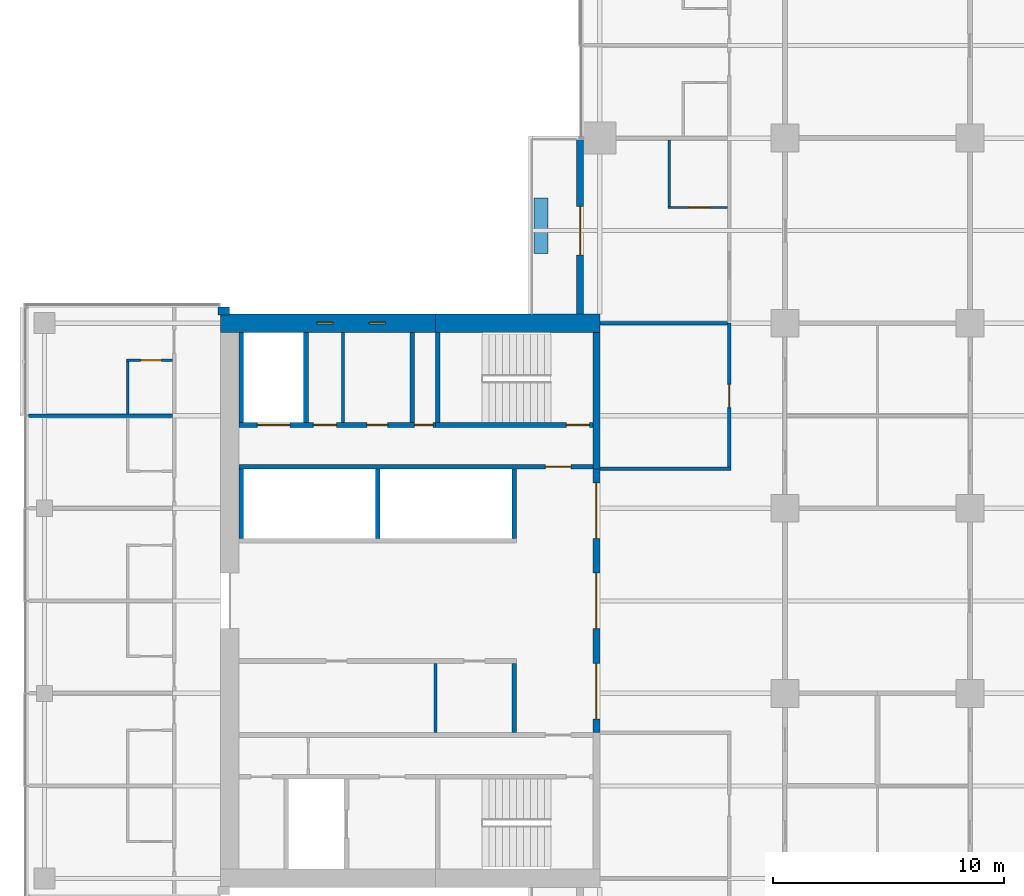
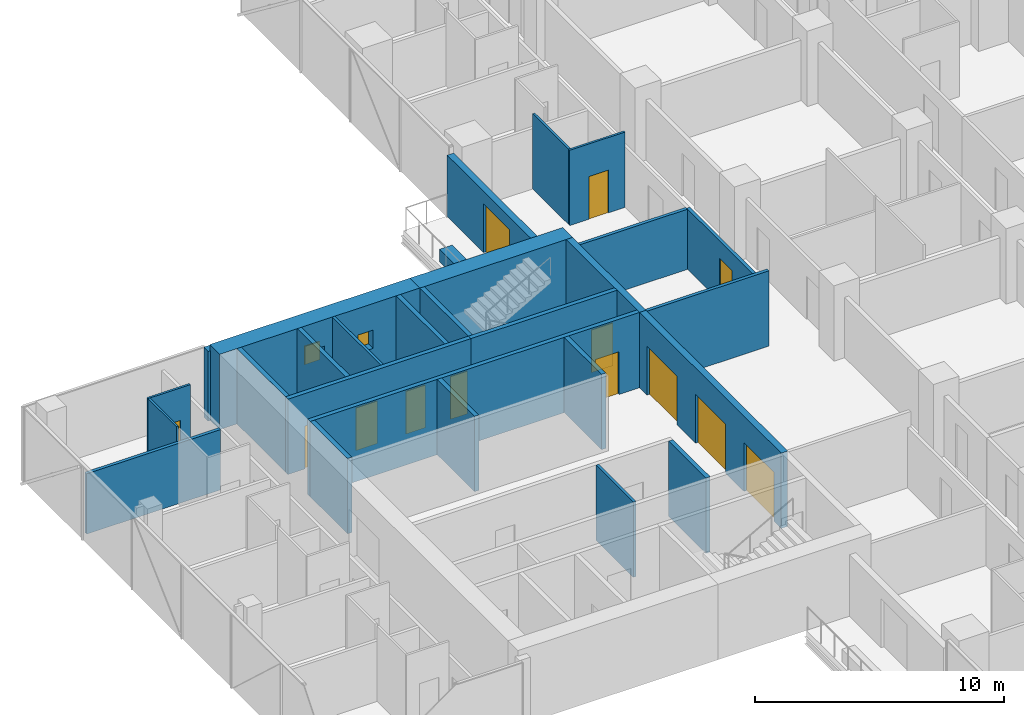
# One storey, part 19 of 29: 28 walls, 13 doors, 2 windows, 15 openings.
"""IFC4 building model written with IfcOpenShell, lengths in metres."""

import ifcopenshell
import ifcopenshell.guid

model = None  # the IFC model being written
_history = None  # IfcOwnerHistory: only IFC2X3 demands one
_inside = {}  # id of a spatial element -> (the spatial element, [elements in it])
_under = {}  # id of a project, library or spatial element -> (it, [spatial elements below it])
_declared = {}  # id of a project -> (the project, [libraries it declares])
_typed = {}  # id of a type object -> (the type object, [elements of that type])
_made_of = {}  # id of a material, layer set ... -> (it, [elements and type objects made of it])


def new_model(schema):
    """Start an empty IFC model of exactly this schema.

    Asked for "IFC4X3", IfcOpenShell would pick the latest addendum, in which some entities
    have other attributes; the version numbers below select the first issue.
    IFC2X3 requires an IfcOwnerHistory on every rooted entity: one is made here for all.
    """
    global model, _history
    if schema == "IFC4X3":
        model = ifcopenshell.file(schema_version=(4, 3, 0, 0))
    else:
        model = ifcopenshell.file(schema=schema)
    _inside.clear()
    _under.clear()
    _declared.clear()
    _typed.clear()
    _made_of.clear()
    _history = None
    if model.schema == "IFC2X3":
        org = make("IfcOrganization", Name="unknown")
        user = make(
            "IfcPersonAndOrganization",
            ThePerson=make("IfcPerson", FamilyName="unknown"),
            TheOrganization=org,
        )
        app = make(
            "IfcApplication",
            ApplicationDeveloper=org,
            Version="unknown",
            ApplicationFullName="unknown",
            ApplicationIdentifier="unknown",
        )
        _history = make(
            "IfcOwnerHistory",
            OwningUser=user,
            OwningApplication=app,
            ChangeAction="ADDED",
            CreationDate=0,
        )
    return model


def make(cls, **values):
    """One entity of the class cls with the attributes given. An attribute that is None is left unset."""
    return model.create_entity(
        cls, **{name: value for name, value in values.items() if value is not None}
    )


def rooted(cls, **values):
    """An entity with a GlobalId (a new one), such as an element, a storey or a relation."""
    return make(cls, GlobalId=ifcopenshell.guid.new(), OwnerHistory=_history, **values)


def si_unit(unit_type, name, prefix=None):
    """IfcSIUnit, for example si_unit("LENGTHUNIT", "METRE", prefix="MILLI")."""
    return make("IfcSIUnit", UnitType=unit_type, Prefix=prefix, Name=name)


def assignment(units):
    """IfcUnitAssignment: the units of a project."""
    return None if units is None else make("IfcUnitAssignment", Units=units)


def point(xyz):
    """IfcCartesianPoint."""
    return None if xyz is None else make("IfcCartesianPoint", Coordinates=xyz)


def direction(xyz):
    """IfcDirection."""
    return None if xyz is None else make("IfcDirection", DirectionRatios=xyz)


def frame(location, z_axis=None, x_axis=None):
    """IfcAxis2Placement3D, a coordinate frame: its origin and axes. An axis left out is left unset."""
    return make(
        "IfcAxis2Placement3D",
        Location=point(location),
        Axis=direction(z_axis),
        RefDirection=direction(x_axis),
    )


def frame_2d(location, x_axis=None):
    """IfcAxis2Placement2D, a coordinate frame in the plane: its origin and x axis."""
    return make(
        "IfcAxis2Placement2D", Location=point(location), RefDirection=direction(x_axis)
    )


def origin():
    """The frame at (0, 0, 0) with its axes left unset."""
    return frame((0.0, 0.0, 0.0))


def place(relative_to, where):
    """IfcLocalPlacement: puts the frame where relative to a parent placement (None: the world)."""
    return make(
        "IfcLocalPlacement", PlacementRelTo=relative_to, RelativePlacement=where
    )


def context(
    kind, dimensions, precision=None, world=None, true_north=None, identifier=None
):
    """IfcGeometricRepresentationContext, for example the 3D "Model" context."""
    return make(
        "IfcGeometricRepresentationContext",
        ContextIdentifier=identifier,
        ContextType=kind,
        CoordinateSpaceDimension=dimensions,
        Precision=precision,
        WorldCoordinateSystem=world,
        TrueNorth=true_north,
    )


def subcontext(parent, identifier, kind, view, scale=None):
    """IfcGeometricRepresentationSubContext, for example "Body" below "Model"."""
    return make(
        "IfcGeometricRepresentationSubContext",
        ContextIdentifier=identifier,
        ContextType=kind,
        ParentContext=parent,
        TargetScale=scale,
        TargetView=view,
    )


def project(units=None, contexts=None):
    """IfcProject with its units and contexts."""
    return rooted(
        "IfcProject",
        Name="project",
        RepresentationContexts=contexts,
        UnitsInContext=assignment(units),
    )


def spatial(cls, under=None, at=None, **own):
    """A site, building, storey or space (cls), placed at a placement, below another one or the project."""
    s = rooted(cls, ObjectPlacement=at, **own)
    if under is not None:
        _under.setdefault(under.id(), (under, []))[1].append(s)
    return s


def profile(cls, at=None, kind="AREA", **sizes):
    """A parametric profile (cls). Its sizes go by their IFC names, for example OverallWidth=200.0."""
    return make(cls, ProfileType=kind, Position=at, **sizes)


def rectangle(**sizes):
    """IfcRectangleProfileDef."""
    return profile("IfcRectangleProfileDef", **sizes)


def extrude(swept, where, along, depth):
    """IfcExtrudedAreaSolid: the profile swept, set in the frame where, extruded along a direction by depth."""
    return make(
        "IfcExtrudedAreaSolid",
        SweptArea=swept,
        Position=where,
        ExtrudedDirection=direction(along),
        Depth=depth,
    )


def shape(context_of_items, identifier, shape_type, items):
    """IfcShapeRepresentation: the items that make up one representation, for example the "Body"."""
    return make(
        "IfcShapeRepresentation",
        ContextOfItems=context_of_items,
        RepresentationIdentifier=identifier,
        RepresentationType=shape_type,
        Items=items,
    )


def material(Name=None, Category=None):
    """IfcMaterial."""
    return make("IfcMaterial", Name=Name, Category=Category)


def layer(
    of_material, thickness, ventilated=None, Name=None, Category=None, Priority=None
):
    """IfcMaterialLayer: one layer of a wall or slab, of a material (None: an air gap)."""
    return make(
        "IfcMaterialLayer",
        Material=of_material,
        LayerThickness=thickness,
        IsVentilated=ventilated,
        Name=Name,
        Category=Category,
        Priority=Priority,
    )


def layer_set(layers, Name=None):
    """IfcMaterialLayerSet."""
    return make("IfcMaterialLayerSet", MaterialLayers=layers, LayerSetName=Name)


def constituent(of_material, Name=None, Category=None, fraction=None):
    """IfcMaterialConstituent: one of the materials an element consists of."""
    return make(
        "IfcMaterialConstituent",
        Name=Name,
        Material=of_material,
        Fraction=fraction,
        Category=Category,
    )


def constituent_set(constituents=None, Name=None):
    """IfcMaterialConstituentSet."""
    return make(
        "IfcMaterialConstituentSet", Name=Name, MaterialConstituents=constituents
    )


def made_of(thing, what):
    """Note that an element or type object is made of a material, layer set ...; save() writes the relation."""
    if what is not None:
        _made_of.setdefault(what.id(), (what, []))[1].append(thing)
    return thing


def type_object(cls, material=None, **own):
    """A type object (cls), such as IfcWallType, which elements share."""
    return made_of(rooted(cls, **own), material)


def element(
    cls,
    number,
    at=None,
    inside=None,
    cuts=None,
    type_object=None,
    material=None,
    context=None,
    identifier="Body",
    shape_type=None,
    held_by="IfcProductDefinitionShape",
    body=None,
    shapes=None,
    **own,
):
    """One element of the class cls, such as IfcWall. Its Tag is "e" and its number.

    at: its placement. inside: the storey or other place that contains it. cuts: it is an
    opening in that element (IfcRelVoidsElement). A single representation is given by context,
    identifier, shape_type and body (its items); several are given by shapes. held_by: the class
    of the entity that holds the representations. save() writes the other relations.
    """
    e = rooted(cls, Tag="e%d" % number, ObjectPlacement=at, **own)
    if body is not None:
        shapes = [shape(context, identifier, shape_type, body)]
    if shapes is not None:
        e.Representation = make(held_by, Representations=shapes)
    if inside is not None:
        _inside.setdefault(inside.id(), (inside, []))[1].append(e)
    if cuts is not None:
        rooted(
            "IfcRelVoidsElement", RelatingBuildingElement=cuts, RelatedOpeningElement=e
        )
    if type_object is not None:
        _typed.setdefault(type_object.id(), (type_object, []))[1].append(e)
    return made_of(e, material)


def fill(opening, filler):
    """IfcRelFillsElement: the door or window that sits in an opening."""
    return rooted(
        "IfcRelFillsElement",
        RelatingOpeningElement=opening,
        RelatedBuildingElement=filler,
    )


def aggregate(whole, parts):
    """IfcRelAggregates: a whole, such as a stair, and the parts it consists of."""
    return rooted("IfcRelAggregates", RelatingObject=whole, RelatedObjects=parts)


def save(model, path):
    """Write the relations noted so far, then the file.

    IfcRelAggregates (storeys below a building ...), IfcRelContainedInSpatialStructure (elements
    in a storey), IfcRelDefinesByType, IfcRelAssociatesMaterial and IfcRelDeclares: one each for
    every whole, place, type object, material and project.
    """
    for whole, parts in _under.values():
        aggregate(whole, parts)
    for where, things in _inside.values():
        rooted(
            "IfcRelContainedInSpatialStructure",
            RelatedElements=things,
            RelatingStructure=where,
        )
    for kind, things in _typed.values():
        rooted("IfcRelDefinesByType", RelatedObjects=things, RelatingType=kind)
    for what, things in _made_of.values():
        rooted("IfcRelAssociatesMaterial", RelatedObjects=things, RelatingMaterial=what)
    for by, libraries in _declared.values():
        rooted("IfcRelDeclares", RelatingContext=by, RelatedDefinitions=libraries)
    model.write(path)


model = new_model("IFC4")

# Units and contexts
model_context = context("Model", 3, precision=1e-05, world=origin(), true_north=direction((0.0, 1.0)))
body_context = subcontext(model_context, "Body", "Model", "MODEL_VIEW")
ifc_project = project(units=[si_unit("LENGTHUNIT", "METRE"), si_unit("AREAUNIT", "SQUARE_METRE"), si_unit("VOLUMEUNIT", "CUBIC_METRE"), si_unit("PLANEANGLEUNIT", "RADIAN"), si_unit("MASSUNIT", "GRAM", prefix="KILO")], contexts=[model_context])

# Site, building, storey
site_placement = place(None, origin())
site = spatial("IfcSite", under=ifc_project, at=site_placement, CompositionType="ELEMENT")
building_placement = place(site_placement, origin())
building = spatial("IfcBuilding", under=site, at=building_placement, Name="Crosswind Convention Tower", CompositionType="ELEMENT")
storey_placement = place(building_placement, frame((0.0, 0.0, 53.5)))
storey = spatial("IfcBuildingStorey", under=building, at=storey_placement, Name="L07", CompositionType="ELEMENT", Elevation=53.5)

# Walls
ifc_material_1 = material(Name="Concrete blockwork", Category="masonry")
ifc_layer_1 = layer(ifc_material_1, 0.199951171875)
ifc_layer_set_1 = layer_set([ifc_layer_1], Name="Blockwork partition wall 200")
wall_type_1 = type_object("IfcWallType", Name="Blockwork partition wall 200", PredefinedType="PARTITIONING", material=ifc_layer_set_1)
wall_1_placement = place(storey_placement, frame((104.89990234375, 111.60009765625, 0.0), z_axis=(0.0, 0.0, 1.0), x_axis=(0.0, -1.0, 0.0)))
element("IfcWall", 1, at=wall_1_placement, inside=storey, type_object=wall_type_1, Name="Wall MRSE W L07", PredefinedType="PARTITIONING", context=body_context, shape_type="SweptSolid", body=[
    extrude(rectangle(XDim=3.900146484375, YDim=0.199951171875, at=frame_2d((1.9501953125, 0.0))), origin(), (0.0, 0.0, 1.0), 3.699951171875),
])
ifc_material_2 = material(Name="Plasterboard partition", Category="gypsum")
ifc_layer_2 = layer(ifc_material_2, 0.14990234375)
ifc_layer_set_2 = layer_set([ifc_layer_2], Name="CORRIDOR WALL 150")
wall_type_2 = type_object("IfcWallType", Name="CORRIDOR WALL 150", PredefinedType="PARTITIONING", material=ifc_layer_set_2)
wall_2_placement = place(storey_placement, frame((113.0, 105.699951171875, 0.0), z_axis=(0.0, 0.0, 1.0), x_axis=(1.0, 0.0, 0.0)))
element("IfcWall", 2, at=wall_2_placement, inside=storey, type_object=wall_type_2, Name="Corridor Wall 54", PredefinedType="PARTITIONING", context=body_context, shape_type="SweptSolid", body=[
    extrude(rectangle(XDim=5.675048828125, YDim=0.14990234375, at=frame_2d((2.83740234375, 0.0))), origin(), (0.0, 0.0, 1.0), 3.699951171875),
])

# Wall, opening, door
wall_3_placement = place(storey_placement, frame((118.60009765625, 105.77490234375, 0.0), z_axis=(0.0, 0.0, 1.0), x_axis=(0.0, 1.0, 0.0)))
wall_3 = element("IfcWall", 3, at=wall_3_placement, inside=storey, type_object=wall_type_2, Name="Corridor Wall 105", PredefinedType="PARTITIONING", context=body_context, shape_type="SweptSolid", body=[
    extrude(rectangle(XDim=6.22509765625, YDim=0.14990234375, at=frame_2d((3.112548828125, 0.0))), origin(), (0.0, 0.0, 1.0), 2.956298828125),
])
opening_1_placement = place(wall_3_placement, frame((2.574951171875, 0.0, 0.0)))
opening_1 = element("IfcOpeningElement", 4, at=opening_1_placement, cuts=wall_3, Name="Opening 07.003", PredefinedType="OPENING", context=body_context, shape_type="SweptSolid", body=[
    extrude(rectangle(XDim=1.0, YDim=2.10009765625, at=frame_2d((0.5, 1.050048828125))), frame((0.0, 0.0849609375, 0.0), z_axis=(0.0, -1.0, 0.0), x_axis=(1.0, 0.0, 0.0)), (0.0, 0.0, 1.0), 0.169921875),
])
ifc_material_3 = material(Name="Timber fire door", Category="wood")
door_type_1 = type_object("IfcDoorType", Name="SERVICE ROOM DOOR 1000X2100", OperationType="NOTDEFINED", PredefinedType="DOOR", material=ifc_material_3)
door_1_placement = place(opening_1_placement, origin())
door_1 = element("IfcDoor", 5, at=door_1_placement, inside=storey, type_object=door_type_1, Name="Door 07.003", ObjectType="D3", OperationType="SINGLE_SWING_RIGHT", OverallHeight=2.10009765625, OverallWidth=1.0, PredefinedType="DOOR", context=body_context, shape_type="SweptSolid", body=[
    extrude(rectangle(XDim=1.0, YDim=2.10009765625, at=frame_2d((0.5, 1.050048828125))), frame((0.0, 0.02490234375, 0.0), z_axis=(0.0, -1.0, 0.0), x_axis=(1.0, 0.0, 0.0)), (0.0, 0.0, 1.0), 0.050048828125),
])
fill(opening_1, door_1)

# Wall, openings, doors
ifc_material_4 = material(Name="Concrete C50/60", Category="concrete")
ifc_layer_3 = layer(ifc_material_4, 0.300048828125)
ifc_layer_set_3 = layer_set([ifc_layer_3], Name="Concrete C50/60")
wall_type_3 = type_object("IfcWallType", Name="Concrete inner core wall 300", PredefinedType="SHEAR", material=ifc_layer_set_3)
wall_4_placement = place(storey_placement, frame((112.85009765625, 105.699951171875, 0.0), z_axis=(0.0, 0.0, 1.0), x_axis=(0.0, -1.0, 0.0)))
wall_4 = element("IfcWall", 6, at=wall_4_placement, inside=storey, type_object=wall_type_3, Name="Wall SCR W L07", PredefinedType="SHEAR", context=body_context, shape_type="SweptSolid", body=[
    extrude(rectangle(XDim=11.39990234375, YDim=0.300048828125, at=frame_2d((5.699951171875, 0.0))), origin(), (0.0, 0.0, 1.0), 3.699951171875),
])
opening_2_placement = place(wall_4_placement, frame((0.60009765625, 0.0, 0.0)))
opening_2 = element("IfcOpeningElement", 7, at=opening_2_placement, cuts=wall_4, Name="Opening D100", PredefinedType="OPENING", context=body_context, shape_type="SweptSolid", body=[
    extrude(rectangle(XDim=2.39990234375, YDim=2.39990234375, at=frame_2d((1.199951171875, 1.199951171875))), frame((0.0, 0.159912109375, 0.0), z_axis=(0.0, -1.0, 0.0), x_axis=(1.0, 0.0, 0.0)), (0.0, 0.0, 1.0), 0.320068359375),
])
opening_3_placement = place(wall_4_placement, frame((4.5, 0.0, 0.0)))
opening_3 = element("IfcOpeningElement", 8, at=opening_3_placement, cuts=wall_4, Name="Opening D100", PredefinedType="OPENING", context=body_context, shape_type="SweptSolid", body=[
    extrude(rectangle(XDim=2.39990234375, YDim=2.39990234375, at=frame_2d((1.199951171875, 1.199951171875))), frame((0.0, 0.159912109375, 0.0), z_axis=(0.0, -1.0, 0.0), x_axis=(1.0, 0.0, 0.0)), (0.0, 0.0, 1.0), 0.320068359375),
])
opening_4_placement = place(wall_4_placement, frame((8.39990234375, 0.0, 0.0)))
opening_4 = element("IfcOpeningElement", 9, at=opening_4_placement, cuts=wall_4, Name="Opening D100", PredefinedType="OPENING", context=body_context, shape_type="SweptSolid", body=[
    extrude(rectangle(XDim=2.39990234375, YDim=2.39990234375, at=frame_2d((1.199951171875, 1.199951171875))), frame((0.0, 0.159912109375, 0.0), z_axis=(0.0, -1.0, 0.0), x_axis=(1.0, 0.0, 0.0)), (0.0, 0.0, 1.0), 0.320068359375),
])
ifc_material_5 = material(Name="Steel fire door with glazed vision panels", Category="steel")
door_type_2 = type_object("IfcDoorType", Name="Fire-rated double door 2400x2400", OperationType="DOUBLE_DOOR_SINGLE_SWING", PredefinedType="DOOR", material=ifc_material_5)
door_2_placement = place(opening_2_placement, origin())
door_2 = element("IfcDoor", 10, at=door_2_placement, inside=storey, type_object=door_type_2, Name="Lobby door 1 L07", ObjectType="D100", OperationType="DOUBLE_DOOR_SINGLE_SWING", OverallHeight=2.39990234375, OverallWidth=2.39990234375, PredefinedType="DOOR", context=body_context, shape_type="SweptSolid", body=[
    extrude(rectangle(XDim=2.39990234375, YDim=2.39990234375, at=frame_2d((1.199951171875, 1.199951171875))), frame((0.0, 0.02490234375, 0.0), z_axis=(0.0, -1.0, 0.0), x_axis=(1.0, 0.0, 0.0)), (0.0, 0.0, 1.0), 0.050048828125),
])
fill(opening_2, door_2)
door_3_placement = place(opening_3_placement, origin())
door_3 = element("IfcDoor", 11, at=door_3_placement, inside=storey, type_object=door_type_2, Name="Lobby door 2 L07", ObjectType="D100", OperationType="DOUBLE_DOOR_SINGLE_SWING", OverallHeight=2.39990234375, OverallWidth=2.39990234375, PredefinedType="DOOR", context=body_context, shape_type="SweptSolid", body=[
    extrude(rectangle(XDim=2.39990234375, YDim=2.39990234375, at=frame_2d((1.199951171875, 1.199951171875))), frame((0.0, 0.02490234375, 0.0), z_axis=(0.0, -1.0, 0.0), x_axis=(1.0, 0.0, 0.0)), (0.0, 0.0, 1.0), 0.050048828125),
])
fill(opening_3, door_3)
door_4_placement = place(opening_4_placement, origin())
door_4 = element("IfcDoor", 12, at=door_4_placement, inside=storey, type_object=door_type_2, Name="Lobby door 3 L07", ObjectType="D100", OperationType="DOUBLE_DOOR_SINGLE_SWING", OverallHeight=2.39990234375, OverallWidth=2.39990234375, PredefinedType="DOOR", context=body_context, shape_type="SweptSolid", body=[
    extrude(rectangle(XDim=2.39990234375, YDim=2.39990234375, at=frame_2d((1.199951171875, 1.199951171875))), frame((0.0, 0.02490234375, 0.0), z_axis=(0.0, -1.0, 0.0), x_axis=(1.0, 0.0, 0.0)), (0.0, 0.0, 1.0), 0.050048828125),
])
fill(opening_4, door_4)

# Walls
wall_5_placement = place(storey_placement, frame((112.85009765625, 111.60009765625, 0.0), z_axis=(0.0, 0.0, 1.0), x_axis=(0.0, -1.0, 0.0)))
element("IfcWall", 13, at=wall_5_placement, inside=storey, type_object=wall_type_3, Name="Wall EM W L07", PredefinedType="SHEAR", context=body_context, shape_type="SweptSolid", body=[
    extrude(rectangle(XDim=5.900146484375, YDim=0.300048828125, at=frame_2d((2.9501953125, 0.0))), origin(), (0.0, 0.0, 1.0), 3.699951171875),
])
ifc_layer_4 = layer(ifc_material_4, 0.199951171875)
ifc_layer_set_4 = layer_set([ifc_layer_4], Name="Concrete C50/60")
wall_type_4 = type_object("IfcWallType", Name="Concrete shaft and stair wall 200", PredefinedType="SHEAR", material=ifc_layer_set_4)
for number, where, z_axis, x_axis, name in (
    (14, (109.300048828125, 97.300048828125, 0.0), (0.0, 0.0, 1.0), (0.0, -1.0, 0.0), "Wall RPEND W L07"),
    (15, (109.300048828125, 105.699951171875, 0.0), (0.0, 0.0, 1.0), (0.0, -1.0, 0.0), "Wall RMEND W L07"),
    (16, (103.39990234375, 105.699951171875, 0.0), (0.0, 0.0, 1.0), (0.0, -1.0, 0.0), "Wall RMSEP W L07"),
    (17, (97.5, 105.699951171875, 0.0), (0.0, 0.0, 1.0), (0.0, -1.0, 0.0), "Wall RMEAST W L07"),
):
    element("IfcWall", number, at=place(storey_placement, frame(where, z_axis=z_axis, x_axis=x_axis)), inside=storey, type_object=wall_type_4, Name=name, PredefinedType="SHEAR", context=body_context, shape_type="SweptSolid", body=[
        extrude(rectangle(XDim=3.0, YDim=0.199951171875, at=frame_2d((1.5, 0.0))), origin(), (0.0, 0.0, 1.0), 3.699951171875),
    ])

# Wall, opening, door
wall_6_placement = place(storey_placement, frame((112.699951171875, 105.800048828125, 0.0), z_axis=(0.0, 0.0, 1.0), x_axis=(-1.0, 0.0, 0.0)))
wall_6 = element("IfcWall", 18, at=wall_6_placement, inside=storey, type_object=wall_type_4, Name="Wall HM W L07", PredefinedType="SHEAR", context=body_context, shape_type="SweptSolid", body=[
    extrude(rectangle(XDim=15.300048828125, YDim=0.199951171875, at=frame_2d((7.64990234375, 0.0))), origin(), (0.0, 0.0, 1.0), 3.699951171875),
])
opening_5_placement = place(wall_6_placement, frame((0.949951171875, 0.0, 0.0)))
opening_5 = element("IfcOpeningElement", 19, at=opening_5_placement, cuts=wall_6, Name="Opening D104", PredefinedType="OPENING", context=body_context, shape_type="SweptSolid", body=[
    extrude(rectangle(XDim=1.10009765625, YDim=2.10009765625, at=frame_2d((0.550048828125, 1.050048828125))), frame((0.0, 0.10986328125, 0.0), z_axis=(0.0, -1.0, 0.0), x_axis=(1.0, 0.0, 0.0)), (0.0, 0.0, 1.0), 0.219970703125),
])
ifc_material_6 = material(Name="Steel fire door", Category="steel")
door_type_3 = type_object("IfcDoorType", Name="Fire-rated single door 1100x2100", OperationType="NOTDEFINED", PredefinedType="DOOR", material=ifc_material_6)
door_5_placement = place(opening_5_placement, origin())
door_5 = element("IfcDoor", 20, at=door_5_placement, inside=storey, type_object=door_type_3, Name="Corridor door L07", ObjectType="D104", OperationType="SINGLE_SWING_LEFT", OverallHeight=2.10009765625, OverallWidth=1.10009765625, PredefinedType="DOOR", context=body_context, shape_type="SweptSolid", body=[
    extrude(rectangle(XDim=1.10009765625, YDim=2.10009765625, at=frame_2d((0.550048828125, 1.050048828125))), frame((0.0, 0.02490234375, 0.0), z_axis=(0.0, -1.0, 0.0), x_axis=(1.0, 0.0, 0.0)), (0.0, 0.0, 1.0), 0.050048828125),
])
fill(opening_5, door_5)

# Walls
for number, where, z_axis, x_axis, name in (
    (21, (106.0, 111.60009765625, 0.0), (0.0, 0.0, 1.0), (0.0, -1.0, 0.0), "Wall MSE W L07"),
    (22, (100.300048828125, 111.60009765625, 0.0), (0.0, 0.0, 1.0), (0.0, -1.0, 0.0), "Wall MFSW W L07"),
    (23, (97.5, 111.60009765625, 0.0), (0.0, 0.0, 1.0), (0.0, -1.0, 0.0), "Wall MFSE W L07"),
):
    element("IfcWall", number, at=place(storey_placement, frame(where, z_axis=z_axis, x_axis=x_axis)), inside=storey, type_object=wall_type_4, Name=name, PredefinedType="SHEAR", context=body_context, shape_type="SweptSolid", body=[
        extrude(rectangle(XDim=3.900146484375, YDim=0.199951171875, at=frame_2d((1.9501953125, 0.0))), origin(), (0.0, 0.0, 1.0), 3.699951171875),
    ])

# Wall, opening, door
wall_7_placement = place(storey_placement, frame((112.699951171875, 107.60009765625, 0.0), z_axis=(0.0, 0.0, 1.0), x_axis=(-1.0, 0.0, 0.0)))
wall_7 = element("IfcWall", 24, at=wall_7_placement, inside=storey, type_object=wall_type_4, Name="Wall MCW W L07", PredefinedType="SHEAR", context=body_context, shape_type="SweptSolid", body=[
    extrude(rectangle(XDim=6.800048828125, YDim=0.199951171875, at=frame_2d((3.39990234375, 0.0))), origin(), (0.0, 0.0, 1.0), 3.699951171875),
])
opening_6_placement = place(wall_7_placement, frame((0.14990234375, 0.0, 0.0)))
opening_6 = element("IfcOpeningElement", 25, at=opening_6_placement, cuts=wall_7, Name="Opening D103", PredefinedType="OPENING", context=body_context, shape_type="SweptSolid", body=[
    extrude(rectangle(XDim=1.0, YDim=2.10009765625, at=frame_2d((0.5, 1.050048828125))), frame((0.0, 0.10986328125, 0.0), z_axis=(0.0, -1.0, 0.0), x_axis=(1.0, 0.0, 0.0)), (0.0, 0.0, 1.0), 0.219970703125),
])
door_type_4 = type_object("IfcDoorType", Name="Fire-rated single door 1000x2100", OperationType="NOTDEFINED", PredefinedType="DOOR", material=ifc_material_6)
door_6_placement = place(opening_6_placement, frame((1.0, 0.0, 0.0), z_axis=(0.0, 0.0, 1.0), x_axis=(-1.0, 0.0, 0.0)))
door_6 = element("IfcDoor", 26, at=door_6_placement, inside=storey, type_object=door_type_4, Name="Stair ST4 door L07", ObjectType="D103", OperationType="SINGLE_SWING_RIGHT", OverallHeight=2.10009765625, OverallWidth=1.0, PredefinedType="DOOR", context=body_context, shape_type="SweptSolid", body=[
    extrude(rectangle(XDim=1.0, YDim=2.10009765625, at=frame_2d((0.5, 1.050048828125))), frame((0.0, 0.02490234375, 0.0), z_axis=(0.0, -1.0, 0.0), x_axis=(1.0, 0.0, 0.0)), (0.0, 0.0, 1.0), 0.050048828125),
])
fill(opening_6, door_6)

# Wall, openings, doors
wall_8_placement = place(storey_placement, frame((105.89990234375, 107.60009765625, 0.0), z_axis=(0.0, 0.0, 1.0), x_axis=(-1.0, 0.0, 0.0)))
wall_8 = element("IfcWall", 27, at=wall_8_placement, inside=storey, type_object=wall_type_4, Name="Wall MCX W L07", PredefinedType="SHEAR", context=body_context, shape_type="SweptSolid", body=[
    extrude(rectangle(XDim=8.5, YDim=0.199951171875, at=frame_2d((4.25, 0.0))), origin(), (0.0, 0.0, 1.0), 3.699951171875),
])
opening_7_placement = place(wall_8_placement, frame((0.10009765625, 0.0, 0.0)))
opening_7 = element("IfcOpeningElement", 28, at=opening_7_placement, cuts=wall_8, Name="Opening D105", PredefinedType="OPENING", context=body_context, shape_type="SweptSolid", body=[
    extrude(rectangle(XDim=0.800048828125, YDim=2.10009765625, at=frame_2d((0.39990234375, 1.050048828125))), frame((0.0, 0.10986328125, 0.0), z_axis=(0.0, -1.0, 0.0), x_axis=(1.0, 0.0, 0.0)), (0.0, 0.0, 1.0), 0.219970703125),
])
opening_8_placement = place(wall_8_placement, frame((2.07080078125, 0.0, 0.0)))
opening_8 = element("IfcOpeningElement", 29, at=opening_8_placement, cuts=wall_8, Name="Opening D106", PredefinedType="OPENING", context=body_context, shape_type="SweptSolid", body=[
    extrude(rectangle(XDim=0.89990234375, YDim=2.10009765625, at=frame_2d((0.449951171875, 1.050048828125))), frame((0.0, 0.10986328125, 0.0), z_axis=(0.0, -1.0, 0.0), x_axis=(1.0, 0.0, 0.0)), (0.0, 0.0, 1.0), 0.219970703125),
])
opening_9_placement = place(wall_8_placement, frame((4.283203125, 0.0, 0.0)))
opening_9 = element("IfcOpeningElement", 30, at=opening_9_placement, cuts=wall_8, Name="Opening D103", PredefinedType="OPENING", context=body_context, shape_type="SweptSolid", body=[
    extrude(rectangle(XDim=1.0, YDim=2.10009765625, at=frame_2d((0.5, 1.050048828125))), frame((0.0, 0.10986328125, 0.0), z_axis=(0.0, -1.0, 0.0), x_axis=(1.0, 0.0, 0.0)), (0.0, 0.0, 1.0), 0.219970703125),
])
opening_10_placement = place(wall_8_placement, frame((6.300048828125, 0.0, 0.0)))
opening_10 = element("IfcOpeningElement", 31, at=opening_10_placement, cuts=wall_8, Name="Opening LD2", PredefinedType="OPENING", context=body_context, shape_type="SweptSolid", body=[
    extrude(rectangle(XDim=1.39990234375, YDim=2.10009765625, at=frame_2d((0.699951171875, 1.050048828125))), frame((0.0, 0.10986328125, 0.0), z_axis=(0.0, -1.0, 0.0), x_axis=(1.0, 0.0, 0.0)), (0.0, 0.0, 1.0), 0.219970703125),
])
door_7_placement = place(opening_9_placement, frame((1.0, 0.0, 0.0), z_axis=(0.0, 0.0, 1.0), x_axis=(-1.0, 0.0, 0.0)))
door_7 = element("IfcDoor", 32, at=door_7_placement, inside=storey, type_object=door_type_4, Name="Door to accessible wc L07", ObjectType="D103", OperationType="SINGLE_SWING_LEFT", OverallHeight=2.10009765625, OverallWidth=1.0, PredefinedType="DOOR", context=body_context, shape_type="SweptSolid", body=[
    extrude(rectangle(XDim=1.0, YDim=2.10009765625, at=frame_2d((0.5, 1.050048828125))), frame((0.0, 0.02490234375, 0.0), z_axis=(0.0, -1.0, 0.0), x_axis=(1.0, 0.0, 0.0)), (0.0, 0.0, 1.0), 0.050048828125),
])
fill(opening_9, door_7)
ifc_material_7 = material(Name="Stainless steel", Category="steel")
door_type_5 = type_object("IfcDoorType", Name="Lift landing door 1400x2100", OperationType="DOUBLE_DOOR_SLIDING", PredefinedType="DOOR", material=ifc_material_7)
door_8_placement = place(opening_10_placement, origin())
door_8 = element("IfcDoor", 33, at=door_8_placement, inside=storey, type_object=door_type_5, Name="Landing door SV2 L07", ObjectType="LD2", OperationType="DOUBLE_DOOR_SLIDING", OverallHeight=2.10009765625, OverallWidth=1.39990234375, PredefinedType="DOOR", context=body_context, shape_type="SweptSolid", body=[
    extrude(rectangle(XDim=1.39990234375, YDim=2.10009765625, at=frame_2d((0.699951171875, 1.050048828125))), frame((0.0, 0.02490234375, 0.0), z_axis=(0.0, -1.0, 0.0), x_axis=(1.0, 0.0, 0.0)), (0.0, 0.0, 1.0), 0.050048828125),
])
fill(opening_10, door_8)
door_type_6 = type_object("IfcDoorType", Name="Riser access door 800x2100", OperationType="NOTDEFINED", PredefinedType="DOOR", material=ifc_material_6)
door_9_placement = place(opening_7_placement, frame((0.800048828125, 0.0, 0.0), z_axis=(0.0, 0.0, 1.0), x_axis=(-1.0, 0.0, 0.0)))
door_9 = element("IfcDoor", 34, at=door_9_placement, inside=storey, type_object=door_type_6, Name="Riser door L07", ObjectType="D105", OperationType="SINGLE_SWING_LEFT", OverallHeight=2.10009765625, OverallWidth=0.800048828125, PredefinedType="DOOR", context=body_context, shape_type="SweptSolid", body=[
    extrude(rectangle(XDim=0.800048828125, YDim=2.10009765625, at=frame_2d((0.39990234375, 1.050048828125))), frame((0.0, 0.02490234375, 0.0), z_axis=(0.0, -1.0, 0.0), x_axis=(1.0, 0.0, 0.0)), (0.0, 0.0, 1.0), 0.050048828125),
])
fill(opening_7, door_9)
ifc_material_8 = material(Name="Timber door", Category="wood")
door_type_7 = type_object("IfcDoorType", Name="Single leaf door 900x2100", OperationType="NOTDEFINED", PredefinedType="DOOR", material=ifc_material_8)
door_10_placement = place(opening_8_placement, frame((0.89990234375, 0.0, 0.0), z_axis=(0.0, 0.0, 1.0), x_axis=(-1.0, 0.0, 0.0)))
door_10 = element("IfcDoor", 35, at=door_10_placement, inside=storey, type_object=door_type_7, Name="Door to wc L07", ObjectType="D106", OperationType="SINGLE_SWING_LEFT", OverallHeight=2.10009765625, OverallWidth=0.89990234375, PredefinedType="DOOR", context=body_context, shape_type="SweptSolid", body=[
    extrude(rectangle(XDim=0.89990234375, YDim=2.10009765625, at=frame_2d((0.449951171875, 1.050048828125))), frame((0.0, 0.02490234375, 0.0), z_axis=(0.0, -1.0, 0.0), x_axis=(1.0, 0.0, 0.0)), (0.0, 0.0, 1.0), 0.050048828125),
])
fill(opening_8, door_10)

# Walls
ifc_material_9 = material(Name="Gypsum plasterboard partition", Category="gypsum")
ifc_layer_5 = layer(ifc_material_9, 0.125)
ifc_layer_set_5 = layer_set([ifc_layer_5], Name="Drywall partition wall 125")
wall_type_5 = type_object("IfcWallType", Name="Drywall partition wall 125", PredefinedType="PARTITIONING", material=ifc_layer_set_5)
wall_9_placement = place(storey_placement, frame((105.89599609375, 97.300048828125, 0.0), z_axis=(0.0, 0.0, 1.0), x_axis=(0.0, -1.0, 0.0)))
element("IfcWall", 36, at=wall_9_placement, inside=storey, type_object=wall_type_5, Name="Wall RPP1 W L07", PredefinedType="PARTITIONING", context=body_context, shape_type="SweptSolid", body=[
    extrude(rectangle(XDim=3.0, YDim=0.125, at=frame_2d((1.5, 0.0))), origin(), (0.0, 0.0, 1.0), 3.699951171875),
])
wall_10_placement = place(storey_placement, frame((101.89599609375, 111.60009765625, 0.0), z_axis=(0.0, 0.0, 1.0), x_axis=(0.0, -1.0, 0.0)))
element("IfcWall", 37, at=wall_10_placement, inside=storey, type_object=wall_type_5, Name="Wall MWP1 W L07", PredefinedType="PARTITIONING", context=body_context, shape_type="SweptSolid", body=[
    extrude(rectangle(XDim=3.900146484375, YDim=0.125, at=frame_2d((1.9501953125, 0.0))), origin(), (0.0, 0.0, 1.0), 3.699951171875),
])
ifc_material_10 = material(Name="Acoustic plasterboard partition", Category="gypsum")
ifc_layer_6 = layer(ifc_material_10, 0.14990234375)
ifc_layer_set_6 = layer_set([ifc_layer_6], Name="GUEST ROOM WALL 150")
wall_type_6 = type_object("IfcWallType", Name="GUEST ROOM WALL 150", PredefinedType="PARTITIONING", material=ifc_layer_set_6)
wall_11_placement = place(storey_placement, frame((88.300048828125, 108.0, 0.0), z_axis=(0.0, 0.0, 1.0), x_axis=(1.0, 0.0, 0.0)))
element("IfcWall", 38, at=wall_11_placement, inside=storey, type_object=wall_type_6, Name="Guest Room Wall 56", PredefinedType="PARTITIONING", context=body_context, shape_type="SweptSolid", body=[
    extrude(rectangle(XDim=6.224853515625, YDim=0.14990234375, at=frame_2d((3.1123046875, 0.0))), origin(), (0.0, 0.0, 1.0), 2.962890625),
])
wall_12_placement = place(storey_placement, frame((113.0, 112.0, 0.0), z_axis=(0.0, 0.0, 1.0), x_axis=(1.0, 0.0, 0.0)))
element("IfcWall", 39, at=wall_12_placement, inside=storey, type_object=wall_type_6, Name="Guest Room Wall 61", PredefinedType="PARTITIONING", context=body_context, shape_type="SweptSolid", body=[
    extrude(rectangle(XDim=5.52490234375, YDim=0.14990234375, at=frame_2d((2.762451171875, 0.0))), origin(), (0.0, 0.0, 1.0), 2.956298828125),
])
ifc_material_11 = material(Name="Concrete C30/37", Category="concrete")
ifc_layer_7 = layer(ifc_material_11, 0.60009765625)
ifc_layer_set_7 = layer_set([ifc_layer_7], Name="Concrete C30/37")
wall_type_7 = type_object("IfcWallType", Name="PLANTER BOX WALL 600", PredefinedType="SOLIDWALL", material=ifc_layer_set_7)
wall_13_placement = place(storey_placement, frame((110.449951171875, 117.39990234375, 0.0), z_axis=(0.0, 0.0, 1.0), x_axis=(0.0, -1.0, 0.0)))
element("IfcWall", 40, at=wall_13_placement, inside=storey, type_object=wall_type_7, Name="PLANTER L07 N-W.1-3", PredefinedType="SOLIDWALL", context=body_context, shape_type="SweptSolid", body=[
    extrude(rectangle(XDim=2.39990234375, YDim=0.60009765625, at=frame_2d((1.199951171875, 0.0))), origin(), (0.0, 0.0, 1.0), 0.60009765625),
])
ifc_material_12 = material(Name="Terracotta rainscreen", Category="ceramic")
ifc_layer_8 = layer(ifc_material_12, 0.02001953125)
ifc_material_13 = material(Name="Mineral wool insulation", Category="insulation")
ifc_layer_9 = layer(ifc_material_13, 0.10009765625)
ifc_layer_10 = layer(ifc_material_1, 0.236083984375)
ifc_layer_set_8 = layer_set([ifc_layer_8, ifc_layer_9, ifc_layer_10], Name="TERRACOTTA CORNER INFILL WALL 356")
wall_type_8 = type_object("IfcWallType", Name="TERRACOTTA CORNER INFILL WALL 356", PredefinedType="SOLIDWALL", material=ifc_layer_set_8)
wall_14_placement = place(storey_placement, frame((96.4951171875, 112.52197265625, 0.0), z_axis=(0.0, 0.0, 1.0), x_axis=(1.0, 0.0, 0.0)))
element("IfcWall", 41, at=wall_14_placement, inside=storey, type_object=wall_type_8, Name="Core corner infill wall L07 2", PredefinedType="SOLIDWALL", context=body_context, shape_type="SweptSolid", body=[
    extrude(rectangle(XDim=0.5048828125, YDim=0.35595703125, at=frame_2d((0.25244140625, 0.0))), origin(), (0.0, 0.0, 1.0), 3.419921875),
])

# Wall, opening, door
ifc_layer_11 = layer(ifc_material_12, 0.02001953125)
ifc_layer_12 = layer(ifc_material_13, 0.10009765625)
ifc_layer_13 = layer(ifc_material_1, 0.179931640625)
ifc_layer_set_9 = layer_set([ifc_layer_11, ifc_layer_12, ifc_layer_13], Name="TERRACOTTA INFILL WALL 300")
wall_type_9 = type_object("IfcWallType", Name="TERRACOTTA INFILL WALL 300", PredefinedType="SOLIDWALL", material=ifc_layer_set_9)
wall_15_placement = place(storey_placement, frame((112.14990234375, 119.967529296875, 0.0), z_axis=(0.0, 0.0, 1.0), x_axis=(0.0, -1.0, 0.0)))
wall_15 = element("IfcWall", 42, at=wall_15_placement, inside=storey, type_object=wall_type_9, Name="Notch front wall L07 N-W.1-3", PredefinedType="SOLIDWALL", context=body_context, shape_type="SweptSolid", body=[
    extrude(rectangle(XDim=7.567626953125, YDim=0.300048828125, at=frame_2d((3.78369140625, 0.0))), origin(), (0.0, 0.0, 1.0), 3.013671875),
])
opening_11_placement = place(wall_15_placement, frame((2.91748046875, 0.0, 0.0)))
opening_11 = element("IfcOpeningElement", 43, at=opening_11_placement, cuts=wall_15, Name="Opening D141", PredefinedType="OPENING", context=body_context, shape_type="SweptSolid", body=[
    extrude(rectangle(XDim=2.10009765625, YDim=2.39990234375, at=frame_2d((1.050048828125, 1.199951171875))), frame((0.0, 0.159912109375, 0.0), z_axis=(0.0, -1.0, 0.0), x_axis=(1.0, 0.0, 0.0)), (0.0, 0.0, 1.0), 0.320068359375),
])
ifc_material_14 = material(Name="Aluminium glazed door", Category="aluminium")
door_type_8 = type_object("IfcDoorType", Name="BALCONY SLIDING DOOR 2100X2400", OperationType="SLIDING_TO_LEFT", PredefinedType="DOOR", material=ifc_material_14)
door_11_placement = place(opening_11_placement, frame((2.10009765625, 0.0, 0.0), z_axis=(0.0, 0.0, 1.0), x_axis=(-1.0, 0.0, 0.0)))
door_11 = element("IfcDoor", 44, at=door_11_placement, inside=storey, type_object=door_type_8, Name="D141 balcony door L07 N-W.1-3", ObjectType="D141", OperationType="SLIDING_TO_LEFT", OverallHeight=2.39990234375, OverallWidth=2.10009765625, PredefinedType="DOOR", context=body_context, shape_type="SweptSolid", body=[
    extrude(rectangle(XDim=2.10009765625, YDim=2.39990234375, at=frame_2d((1.050048828125, 1.199951171875))), frame((0.0, 0.02490234375, 0.0), z_axis=(0.0, -1.0, 0.0), x_axis=(1.0, 0.0, 0.0)), (0.0, 0.0, 1.0), 0.050048828125),
])
fill(opening_11, door_11)

# Wall
ifc_material_15 = material(Name="Concrete C60/75", Category="concrete")
ifc_constituent_1 = constituent(ifc_material_15, Name="Structure")
ifc_constituent_2 = constituent(ifc_material_12, Name="Facing")
ifc_constituent_set = constituent_set(constituents=[ifc_constituent_1, ifc_constituent_2], Name="Concrete C60/75, Terracotta rainscreen")
wall_type_10 = type_object("IfcWallType", Name="Terracotta rainscreen on concrete core wall 800", PredefinedType="SHEAR", material=ifc_constituent_set)
wall_16_placement = place(storey_placement, frame((113.0, 112.0, 0.0), z_axis=(0.0, 0.0, 1.0), x_axis=(-1.0, 0.0, 0.0)))
element("IfcWall", 45, at=wall_16_placement, inside=storey, type_object=wall_type_10, Name="Wall S1 W L07", PredefinedType="SHEAR", context=body_context, shape_type="SweptSolid", body=[
    extrude(rectangle(XDim=7.10009765625, YDim=0.800048828125, at=frame_2d((3.550048828125, 0.0))), origin(), (0.0, 0.0, 1.0), 3.699951171875),
])

# Wall, openings, windows
wall_17_placement = place(storey_placement, frame((105.89990234375, 112.0, 0.0), z_axis=(0.0, 0.0, 1.0), x_axis=(-1.0, 0.0, 0.0)))
wall_17 = element("IfcWall", 46, at=wall_17_placement, inside=storey, type_object=wall_type_10, Name="Wall S2 W L07", PredefinedType="SHEAR", context=body_context, shape_type="SweptSolid", body=[
    extrude(rectangle(XDim=9.2998046875, YDim=0.800048828125, at=frame_2d((4.64990234375, 0.0))), origin(), (0.0, 0.0, 1.0), 3.699951171875),
])
opening_12_placement = place(wall_17_placement, frame((2.170654296875, 0.0, 1.5)))
opening_12 = element("IfcOpeningElement", 47, at=opening_12_placement, cuts=wall_17, Name="Opening W2", PredefinedType="OPENING", context=body_context, shape_type="SweptSolid", body=[
    extrude(rectangle(XDim=0.699951171875, YDim=0.89990234375, at=frame_2d((0.35009765625, 0.449951171875))), frame((0.0, 0.409912109375, 0.0), z_axis=(0.0, -1.0, 0.0), x_axis=(1.0, 0.0, 0.0)), (0.0, 0.0, 1.0), 0.820068359375),
])
opening_13_placement = place(wall_17_placement, frame((4.433349609375, 0.0, 1.5)))
opening_13 = element("IfcOpeningElement", 48, at=opening_13_placement, cuts=wall_17, Name="Opening W2", PredefinedType="OPENING", context=body_context, shape_type="SweptSolid", body=[
    extrude(rectangle(XDim=0.699951171875, YDim=0.89990234375, at=frame_2d((0.35009765625, 0.449951171875))), frame((0.0, 0.409912109375, 0.0), z_axis=(0.0, -1.0, 0.0), x_axis=(1.0, 0.0, 0.0)), (0.0, 0.0, 1.0), 0.820068359375),
])
ifc_material_16 = material(Name="Obscure glass in aluminium frame", Category="aluminium")
window_type = type_object("IfcWindowType", Name="WC window 700x900", PartitioningType="SINGLE_PANEL", PredefinedType="WINDOW", material=ifc_material_16)
window_1_placement = place(opening_12_placement, origin())
window_1 = element("IfcWindow", 49, at=window_1_placement, inside=storey, type_object=window_type, Name="WC window L07", ObjectType="W2", OverallHeight=0.89990234375, OverallWidth=0.699951171875, PartitioningType="SINGLE_PANEL", PredefinedType="WINDOW", context=body_context, shape_type="SweptSolid", body=[
    extrude(rectangle(XDim=0.699951171875, YDim=0.89990234375, at=frame_2d((0.35009765625, 0.449951171875))), frame((0.0, 0.030029296875, 0.0), z_axis=(0.0, -1.0, 0.0), x_axis=(1.0, 0.0, 0.0)), (0.0, 0.0, 1.0), 0.06005859375),
])
fill(opening_12, window_1)
window_2_placement = place(opening_13_placement, origin())
window_2 = element("IfcWindow", 50, at=window_2_placement, inside=storey, type_object=window_type, Name="WC window L07", ObjectType="W2", OverallHeight=0.89990234375, OverallWidth=0.699951171875, PartitioningType="SINGLE_PANEL", PredefinedType="WINDOW", context=body_context, shape_type="SweptSolid", body=[
    extrude(rectangle(XDim=0.699951171875, YDim=0.89990234375, at=frame_2d((0.35009765625, 0.449951171875))), frame((0.0, 0.030029296875, 0.0), z_axis=(0.0, -1.0, 0.0), x_axis=(1.0, 0.0, 0.0)), (0.0, 0.0, 1.0), 0.06005859375),
])
fill(opening_13, window_2)

# Wall, opening, door
ifc_material_17 = material(Name="Water-resistant plasterboard partition", Category="gypsum")
ifc_layer_14 = layer(ifc_material_17, 0.10009765625)
ifc_layer_set_10 = layer_set([ifc_layer_14], Name="WET ROOM PARTITION 100")
wall_type_11 = type_object("IfcWallType", Name="WET ROOM PARTITION 100", PredefinedType="PLUMBINGWALL", material=ifc_layer_set_10)
wall_18_placement = place(storey_placement, frame((92.550048828125, 110.39990234375, 0.0), z_axis=(0.0, 0.0, 1.0), x_axis=(1.0, 0.0, 0.0)))
wall_18 = element("IfcWall", 51, at=wall_18_placement, inside=storey, type_object=wall_type_11, Name="Wet Room Partition 59", PredefinedType="PLUMBINGWALL", context=body_context, shape_type="SweptSolid", body=[
    extrude(rectangle(XDim=1.974853515625, YDim=0.10009765625, at=frame_2d((0.9873046875, 0.0))), origin(), (0.0, 0.0, 1.0), 3.699951171875),
])
opening_14_placement = place(wall_18_placement, frame((0.60009765625, 0.0, 0.0)))
opening_14 = element("IfcOpeningElement", 52, at=opening_14_placement, cuts=wall_18, Name="Opening 07.068", PredefinedType="OPENING", context=body_context, shape_type="SweptSolid", body=[
    extrude(rectangle(XDim=0.89990234375, YDim=2.10009765625, at=frame_2d((0.449951171875, 1.050048828125))), frame((0.0, 0.06005859375, 0.0), z_axis=(0.0, -1.0, 0.0), x_axis=(1.0, 0.0, 0.0)), (0.0, 0.0, 1.0), 0.1201171875),
])
door_type_9 = type_object("IfcDoorType", Name="EN-SUITE DOOR 900X2100", OperationType="NOTDEFINED", PredefinedType="DOOR", material=ifc_material_8)
door_12_placement = place(opening_14_placement, frame((0.89990234375, 0.0, 0.0), z_axis=(0.0, 0.0, 1.0), x_axis=(-1.0, 0.0, 0.0)))
door_12 = element("IfcDoor", 53, at=door_12_placement, inside=storey, type_object=door_type_9, Name="Door 07.068", ObjectType="D2", OperationType="SINGLE_SWING_LEFT", OverallHeight=2.10009765625, OverallWidth=0.89990234375, PredefinedType="DOOR", context=body_context, shape_type="SweptSolid", body=[
    extrude(rectangle(XDim=0.89990234375, YDim=2.10009765625, at=frame_2d((0.449951171875, 1.050048828125))), frame((0.0, 0.02490234375, 0.0), z_axis=(0.0, -1.0, 0.0), x_axis=(1.0, 0.0, 0.0)), (0.0, 0.0, 1.0), 0.050048828125),
])
fill(opening_14, door_12)

wall_19_placement = place(storey_placement, frame((115.949951171875, 117.0, 0.0), z_axis=(0.0, 0.0, 1.0), x_axis=(1.0, 0.0, 0.0)))
wall_19 = element("IfcWall", 54, at=wall_19_placement, inside=storey, type_object=wall_type_11, Name="Wet Room Partition 64", PredefinedType="PLUMBINGWALL", context=body_context, shape_type="SweptSolid", body=[
    extrude(rectangle(XDim=2.574951171875, YDim=0.10009765625, at=frame_2d((1.28759765625, 0.0))), origin(), (0.0, 0.0, 1.0), 3.699951171875),
])
opening_15_placement = place(wall_19_placement, frame((0.89990234375, 0.0, 0.0)))
opening_15 = element("IfcOpeningElement", 55, at=opening_15_placement, cuts=wall_19, Name="Opening 07.016", PredefinedType="OPENING", context=body_context, shape_type="SweptSolid", body=[
    extrude(rectangle(XDim=0.89990234375, YDim=2.10009765625, at=frame_2d((0.449951171875, 1.050048828125))), frame((0.0, 0.06005859375, 0.0), z_axis=(0.0, -1.0, 0.0), x_axis=(1.0, 0.0, 0.0)), (0.0, 0.0, 1.0), 0.1201171875),
])
door_13_placement = place(opening_15_placement, origin())
door_13 = element("IfcDoor", 56, at=door_13_placement, inside=storey, type_object=door_type_9, Name="Door 07.016", ObjectType="D2", OperationType="SINGLE_SWING_RIGHT", OverallHeight=2.10009765625, OverallWidth=0.89990234375, PredefinedType="DOOR", context=body_context, shape_type="SweptSolid", body=[
    extrude(rectangle(XDim=0.89990234375, YDim=2.10009765625, at=frame_2d((0.449951171875, 1.050048828125))), frame((0.0, 0.02490234375, 0.0), z_axis=(0.0, -1.0, 0.0), x_axis=(1.0, 0.0, 0.0)), (0.0, 0.0, 1.0), 0.050048828125),
])
fill(opening_15, door_13)

# Walls
wall_20_placement = place(storey_placement, frame((92.60009765625, 108.074951171875, 0.0), z_axis=(0.0, 0.0, 1.0), x_axis=(0.0, 1.0, 0.0)))
element("IfcWall", 57, at=wall_20_placement, inside=storey, type_object=wall_type_11, Name="Wet Room Partition 91", PredefinedType="PLUMBINGWALL", context=body_context, shape_type="SweptSolid", body=[
    extrude(rectangle(XDim=2.275146484375, YDim=0.10009765625, at=frame_2d((1.1376953125, 0.0))), origin(), (0.0, 0.0, 1.0), 3.699951171875),
])
wall_21_placement = place(storey_placement, frame((116.0, 117.050048828125, 0.0), z_axis=(0.0, 0.0, 1.0), x_axis=(0.0, 1.0, 0.0)))
element("IfcWall", 58, at=wall_21_placement, inside=storey, type_object=wall_type_11, Name="Wet Room Partition 94", PredefinedType="PLUMBINGWALL", context=body_context, shape_type="SweptSolid", body=[
    extrude(rectangle(XDim=2.875, YDim=0.10009765625, at=frame_2d((1.4375, 0.0))), origin(), (0.0, 0.0, 1.0), 3.699951171875),
])

save(model, "model.ifc")
